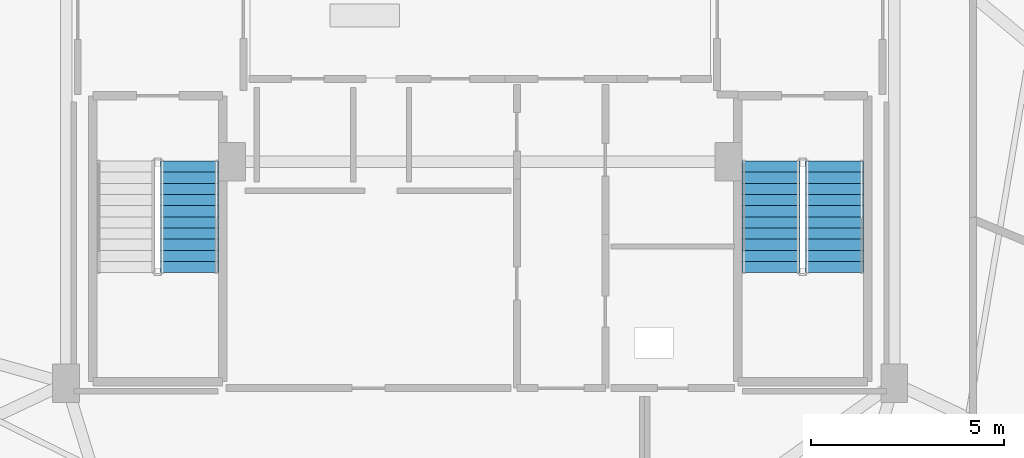
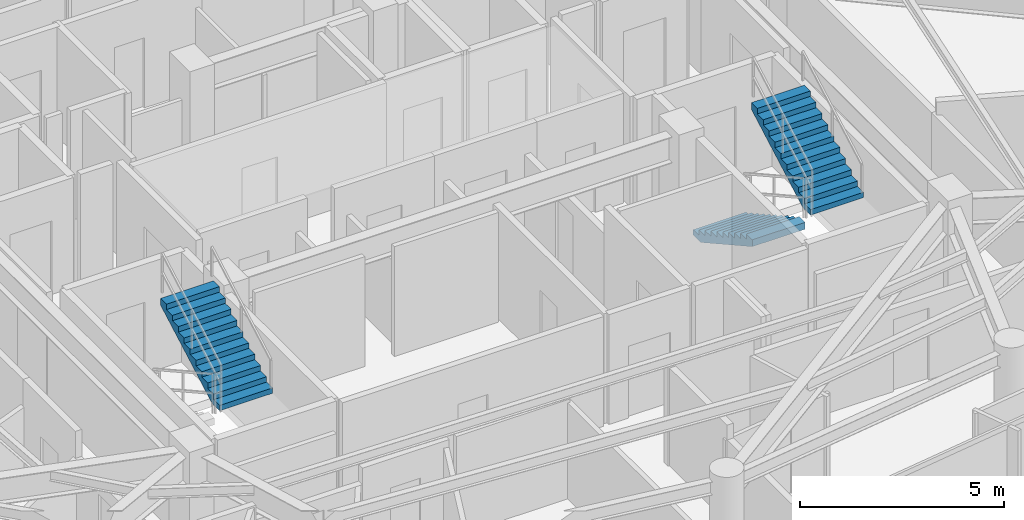
# One storey, part 26 of 30: 3 stair flights, 2 elements without a shape of their own.
"""IFC4 building model written with IfcOpenShell, lengths in metres."""

from ifc_helpers import new_model, si_unit, direction, frame, origin, place, context, subcontext, project, spatial, polyline, outline, extrude, material, type_object, element, aggregate, save


model = new_model("IFC4")

# Units and contexts
model_context = context("Model", 3, precision=1e-05, world=origin(), true_north=direction((0.0, 1.0)))
body_context = subcontext(model_context, "Body", "Model", "MODEL_VIEW")
ifc_project = project(units=[si_unit("LENGTHUNIT", "METRE"), si_unit("AREAUNIT", "SQUARE_METRE"), si_unit("VOLUMEUNIT", "CUBIC_METRE"), si_unit("PLANEANGLEUNIT", "RADIAN"), si_unit("MASSUNIT", "GRAM", prefix="KILO")], contexts=[model_context])

# Site, building, storey
site_placement = place(None, origin())
site = spatial("IfcSite", under=ifc_project, at=site_placement, CompositionType="ELEMENT")
building_placement = place(site_placement, origin())
building = spatial("IfcBuilding", under=site, at=building_placement, Name="Vorneva Point Tower", CompositionType="ELEMENT")
storey_placement = place(building_placement, frame((0.0, 0.0, 237.800048828125)))
storey = spatial("IfcBuildingStorey", under=building, at=storey_placement, Name="L64", CompositionType="ELEMENT", Elevation=237.800048828125)

# Stair, stair flight
ifc_material = material(Name="Concrete B50 (C40/50)", Category="concrete")
stair_type = type_object("IfcStairType", Name="ST-DOG-1500", PredefinedType="HALF_TURN_STAIR", material=ifc_material)
stair_1_placement = place(storey_placement, origin())
stair_1 = element("IfcStair", 1, at=stair_1_placement, inside=storey, type_object=stair_type, Name="L64 ST1", PredefinedType="HALF_TURN_STAIR")
stair_flight_type = type_object("IfcStairFlightType", Name="STF-1500", PredefinedType="STRAIGHT", material=ifc_material)
stair_flight_1_placement = place(storey_placement, frame((30.449951171875, 19.320068359375, 1.77490234375), z_axis=(0.0, 0.0, 1.0), x_axis=(0.0, 1.0, 0.0)))
stair_flight_1 = element("IfcStairFlight", 2, at=stair_flight_1_placement, type_object=stair_flight_type, Name="ST1 flight 2", NumberOfRisers=11, NumberOfTreads=10, PredefinedType="STRAIGHT", RiserHeight=0.161363636, TreadLength=0.29, context=body_context, shape_type="SweptSolid", body=[
    extrude(outline(polyline([(0.0, 0.0), (0.0, 0.161376953125), (0.2900390625, 0.161376953125), (0.2900390625, 0.32275390625), (0.580078125, 0.32275390625), (0.580078125, 0.484130859375), (0.8701171875, 0.484130859375), (0.8701171875, 0.6455078125), (1.159912109375, 0.6455078125), (1.159912109375, 0.806884765625), (1.449951171875, 0.806884765625), (1.449951171875, 0.96826171875), (1.739990234375, 0.96826171875), (1.739990234375, 1.129638671875), (2.030029296875, 1.129638671875), (2.030029296875, 1.291015625), (2.320068359375, 1.291015625), (2.320068359375, 1.452392578125), (2.610107421875, 1.452392578125), (2.610107421875, 1.613525390625), (2.89990234375, 1.613525390625), (2.89990234375, 1.77490234375), (2.89990234375, 1.40771484375), (0.3701171875, 0.0), (0.0, 0.0)])), frame((0.0, 0.75, 0.0), z_axis=(0.0, -1.0, 0.0), x_axis=(1.0, 0.0, 0.0)), (0.0, 0.0, 1.0), 1.5),
])
aggregate(stair_1, [stair_flight_1])

# Stair, stair flights
stair_2_placement = place(storey_placement, origin())
stair_2 = element("IfcStair", 3, at=stair_2_placement, inside=storey, type_object=stair_type, Name="L64 ST2", PredefinedType="HALF_TURN_STAIR")
stair_flight_2_placement = place(storey_placement, frame((45.550048828125, 22.219970703125, 0.0), z_axis=(0.0, 0.0, 1.0), x_axis=(0.0, -1.0, 0.0)))
stair_flight_2 = element("IfcStairFlight", 4, at=stair_flight_2_placement, type_object=stair_flight_type, Name="ST2 flight 1", NumberOfRisers=11, NumberOfTreads=10, PredefinedType="STRAIGHT", RiserHeight=0.161363636, TreadLength=0.29, context=body_context, shape_type="SweptSolid", body=[
    extrude(outline(polyline([(0.0, 0.0), (0.0, 0.161376953125), (0.2900390625, 0.161376953125), (0.2900390625, 0.32275390625), (0.580078125, 0.32275390625), (0.580078125, 0.484130859375), (0.8701171875, 0.484130859375), (0.8701171875, 0.6455078125), (1.159912109375, 0.6455078125), (1.159912109375, 0.806884765625), (1.449951171875, 0.806884765625), (1.449951171875, 0.96826171875), (1.739990234375, 0.96826171875), (1.739990234375, 1.129638671875), (2.030029296875, 1.129638671875), (2.030029296875, 1.291015625), (2.320068359375, 1.291015625), (2.320068359375, 1.452392578125), (2.610107421875, 1.452392578125), (2.610107421875, 1.613525390625), (2.89990234375, 1.613525390625), (2.89990234375, 1.77490234375), (2.89990234375, 1.40771484375), (0.3701171875, 0.0), (0.0, 0.0)])), frame((0.0, 0.75, 0.0), z_axis=(0.0, -1.0, 0.0), x_axis=(1.0, 0.0, 0.0)), (0.0, 0.0, 1.0), 1.5),
])
stair_flight_3_placement = place(storey_placement, frame((47.199951171875, 19.320068359375, 1.77490234375), z_axis=(0.0, 0.0, 1.0), x_axis=(0.0, 1.0, 0.0)))
stair_flight_3 = element("IfcStairFlight", 5, at=stair_flight_3_placement, type_object=stair_flight_type, Name="ST2 flight 2", NumberOfRisers=11, NumberOfTreads=10, PredefinedType="STRAIGHT", RiserHeight=0.161363636, TreadLength=0.29, context=body_context, shape_type="SweptSolid", body=[
    extrude(outline(polyline([(0.0, 0.0), (0.0, 0.161376953125), (0.2900390625, 0.161376953125), (0.2900390625, 0.32275390625), (0.580078125, 0.32275390625), (0.580078125, 0.484130859375), (0.8701171875, 0.484130859375), (0.8701171875, 0.6455078125), (1.159912109375, 0.6455078125), (1.159912109375, 0.806884765625), (1.449951171875, 0.806884765625), (1.449951171875, 0.96826171875), (1.739990234375, 0.96826171875), (1.739990234375, 1.129638671875), (2.030029296875, 1.129638671875), (2.030029296875, 1.291015625), (2.320068359375, 1.291015625), (2.320068359375, 1.452392578125), (2.610107421875, 1.452392578125), (2.610107421875, 1.613525390625), (2.89990234375, 1.613525390625), (2.89990234375, 1.77490234375), (2.89990234375, 1.40771484375), (0.3701171875, 0.0), (0.0, 0.0)])), frame((0.0, 0.75, 0.0), z_axis=(0.0, -1.0, 0.0), x_axis=(1.0, 0.0, 0.0)), (0.0, 0.0, 1.0), 1.5),
])
aggregate(stair_2, [stair_flight_2, stair_flight_3])

save(model, "model.ifc")
